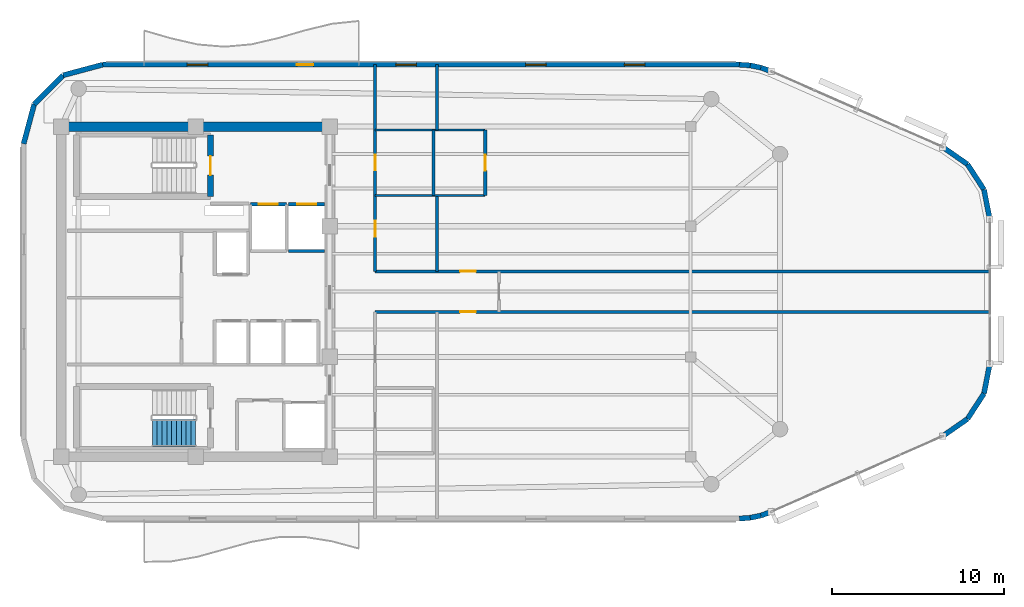
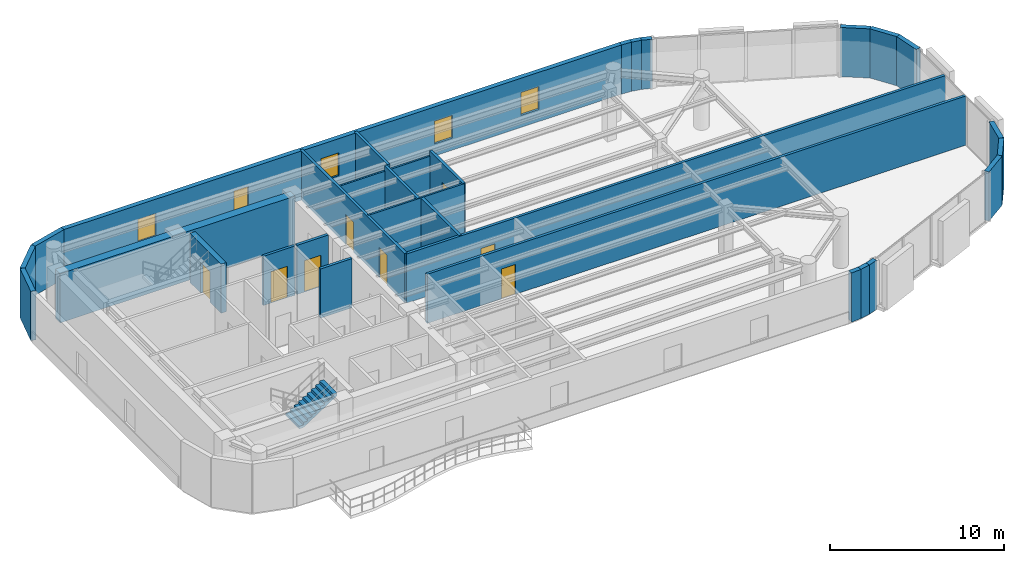
# One storey, part 9 of 12: 30 walls, 9 doors, 4 windows, 1 stair flight, 13 openings, 1 element without a shape of its own.
"""IFC4 building model written with IfcOpenShell, lengths in metres."""

from ifc_helpers import new_model, si_unit, direction, frame, frame_2d, origin, place, context, subcontext, project, spatial, polyline, rectangle, outline, extrude, material, layer, layer_set, type_object, element, fill, aggregate, save


model = new_model("IFC4")

# Units and contexts
model_context = context("Model", 3, precision=1e-05, world=origin(), true_north=direction((0.0, 1.0)))
body_context = subcontext(model_context, "Body", "Model", "MODEL_VIEW")
ifc_project = project(units=[si_unit("LENGTHUNIT", "METRE"), si_unit("AREAUNIT", "SQUARE_METRE"), si_unit("VOLUMEUNIT", "CUBIC_METRE"), si_unit("PLANEANGLEUNIT", "RADIAN"), si_unit("MASSUNIT", "GRAM", prefix="KILO")], contexts=[model_context])

# Site, building, storey
site_placement = place(None, origin())
site = spatial("IfcSite", under=ifc_project, at=site_placement, CompositionType="ELEMENT")
building_placement = place(site_placement, origin())
building = spatial("IfcBuilding", under=site, at=building_placement, Name="An Khanh Terracotta Commons", CompositionType="ELEMENT")
storey_placement = place(building_placement, frame((0.0, 0.0, 273.39990234375)))
storey = spatial("IfcBuildingStorey", under=building, at=storey_placement, Name="L71", CompositionType="ELEMENT", Elevation=273.39990234375)

# Wall
ifc_material_1 = material(Name="Concrete C50/60", Category="concrete")
ifc_layer_1 = layer(ifc_material_1, 0.550048828125, Name="Concrete C50/60")
ifc_layer_set_1 = layer_set([ifc_layer_1], Name="Concrete C50/60")
wall_type_1 = type_object("IfcWallType", Name="WALL-CORE-550", PredefinedType="SHEAR", material=ifc_layer_set_1)
wall_1_placement = place(storey_placement, frame((21.60009765625, 33.60009765625, 0.0), z_axis=(0.0, 0.0, 1.0), x_axis=(1.0, 0.0, 0.0)))
element("IfcWall", 1, at=wall_1_placement, inside=storey, type_object=wall_type_1, Name="L71 Core Wall CWALL-L71-N", PredefinedType="SHEAR", context=body_context, shape_type="SweptSolid", body=[
    extrude(rectangle(XDim=15.599853515625, YDim=0.550048828125, at=frame_2d((7.7998046875, 0.0))), origin(), (0.0, 0.0, 1.0), 3.4501953125),
])

# Wall, opening, door
ifc_material_2 = material(Name="Fire-Rated Gypsum Board on Steel Stud", Category="steel")
ifc_layer_2 = layer(ifc_material_2, 0.179931640625, Name="Fire-Rated Gypsum Board on Steel Stud")
ifc_layer_set_2 = layer_set([ifc_layer_2], Name="Fire-Rated Gypsum Board on Steel Stud")
wall_type_2 = type_object("IfcWallType", Name="WALL-CORR-180", PredefinedType="PARTITIONING", material=ifc_layer_set_2)
wall_2_placement = place(storey_placement, frame((32.60009765625, 29.080078125, 0.0), z_axis=(0.0, 0.0, 1.0), x_axis=(1.0, 0.0, 0.0)))
wall_2 = element("IfcWall", 2, at=wall_2_placement, inside=storey, type_object=wall_type_2, Name="L71 Core Wall LSH-L71-FFL-01-N", PredefinedType="PARTITIONING", context=body_context, shape_type="SweptSolid", body=[
    extrude(rectangle(XDim=2.079833984375, YDim=0.179931640625, at=frame_2d((1.0400390625, 0.0))), origin(), (0.0, 0.0, 1.0), 3.4501953125),
])
opening_1_placement = place(wall_2_placement, frame((0.489990234375, 0.0, 0.0)))
opening_1 = element("IfcOpeningElement", 3, at=opening_1_placement, cuts=wall_2, Name="Opening LD-FFL-01-L71", PredefinedType="OPENING", context=body_context, shape_type="SweptSolid", body=[
    extrude(rectangle(XDim=1.10009765625, YDim=2.199951171875, at=frame_2d((0.550048828125, 1.10009765625))), frame((0.0, 0.099853515625, 0.0), z_axis=(0.0, -1.0, 0.0), x_axis=(1.0, 0.0, 0.0)), (0.0, 0.0, 1.0), 0.199951171875),
])
ifc_material_3 = material(Name="Brushed Stainless Steel Fire Landing Door", Category="steel")
door_type_1 = type_object("IfcDoorType", Name="DOOR-LD-FFL-1100", OperationType="NOTDEFINED", PredefinedType="DOOR", material=ifc_material_3)
door_1_placement = place(opening_1_placement, origin())
door_1 = element("IfcDoor", 4, at=door_1_placement, inside=storey, type_object=door_type_1, Name="L71 Lift FFL-01 Sliding Landing Door", OperationType="DOUBLE_DOOR_SLIDING", OverallHeight=2.199951171875, OverallWidth=1.10009765625, PredefinedType="DOOR", context=body_context, shape_type="SweptSolid", body=[
    extrude(rectangle(XDim=1.10009765625, YDim=2.199951171875, at=frame_2d((0.550048828125, 1.10009765625))), frame((0.0, 0.02490234375, 0.0), z_axis=(0.0, -1.0, 0.0), x_axis=(1.0, 0.0, 0.0)), (0.0, 0.0, 1.0), 0.050048828125),
])
fill(opening_1, door_1)

wall_3_placement = place(storey_placement, frame((34.820068359375, 29.080078125, 0.0), z_axis=(0.0, 0.0, 1.0), x_axis=(1.0, 0.0, 0.0)))
wall_3 = element("IfcWall", 5, at=wall_3_placement, inside=storey, type_object=wall_type_2, Name="L71 Core Wall LSH-L71-FFL-02-N", PredefinedType="PARTITIONING", context=body_context, shape_type="SweptSolid", body=[
    extrude(rectangle(XDim=2.079833984375, YDim=0.179931640625, at=frame_2d((1.0400390625, 0.0))), origin(), (0.0, 0.0, 1.0), 3.4501953125),
])
opening_2_placement = place(wall_3_placement, frame((0.489990234375, 0.0, 0.0)))
opening_2 = element("IfcOpeningElement", 6, at=opening_2_placement, cuts=wall_3, Name="Opening LD-FFL-02-L71", PredefinedType="OPENING", context=body_context, shape_type="SweptSolid", body=[
    extrude(rectangle(XDim=1.10009765625, YDim=2.199951171875, at=frame_2d((0.550048828125, 1.10009765625))), frame((0.0, 0.099853515625, 0.0), z_axis=(0.0, -1.0, 0.0), x_axis=(1.0, 0.0, 0.0)), (0.0, 0.0, 1.0), 0.199951171875),
])
door_2_placement = place(opening_2_placement, origin())
door_2 = element("IfcDoor", 7, at=door_2_placement, inside=storey, type_object=door_type_1, Name="L71 Lift FFL-02 Sliding Landing Door", OperationType="DOUBLE_DOOR_SLIDING", OverallHeight=2.199951171875, OverallWidth=1.10009765625, PredefinedType="DOOR", context=body_context, shape_type="SweptSolid", body=[
    extrude(rectangle(XDim=1.10009765625, YDim=2.199951171875, at=frame_2d((0.550048828125, 1.10009765625))), frame((0.0, 0.02490234375, 0.0), z_axis=(0.0, -1.0, 0.0), x_axis=(1.0, 0.0, 0.0)), (0.0, 0.0, 1.0), 0.050048828125),
])
fill(opening_2, door_2)

# Wall
wall_4_placement = place(storey_placement, frame((36.89990234375, 26.35009765625, 0.0), z_axis=(0.0, 0.0, 1.0), x_axis=(-1.0, 0.0, 0.0)))
element("IfcWall", 8, at=wall_4_placement, inside=storey, type_object=wall_type_2, Name="L71 Core Wall LSH-L71-FFL-02-S", PredefinedType="PARTITIONING", context=body_context, shape_type="SweptSolid", body=[
    extrude(rectangle(XDim=2.079833984375, YDim=0.179931640625, at=frame_2d((1.0400390625, 0.0))), origin(), (0.0, 0.0, 1.0), 3.4501953125),
])

# Wall, opening, door
wall_5_placement = place(storey_placement, frame((39.85009765625, 22.820068359375, 0.0), z_axis=(0.0, 0.0, 1.0), x_axis=(1.0, 0.0, 0.0)))
wall_5 = element("IfcWall", 9, at=wall_5_placement, inside=storey, type_object=wall_type_2, Name="L71 Interior Partition IW-L71-E003", PredefinedType="PARTITIONING", context=body_context, shape_type="SweptSolid", body=[
    extrude(rectangle(XDim=35.75, YDim=0.179931640625, at=frame_2d((17.875, 0.0))), origin(), (0.0, 0.0, 1.0), 3.4501953125),
])
opening_3_placement = place(wall_5_placement, frame((4.93994140625, 0.0, 0.0)))
opening_3 = element("IfcOpeningElement", 10, at=opening_3_placement, cuts=wall_5, Name="Opening D-RM", PredefinedType="OPENING", context=body_context, shape_type="SweptSolid", body=[
    extrude(rectangle(XDim=0.919921875, YDim=2.10009765625, at=frame_2d((0.4599609375, 1.050048828125))), frame((0.0, 0.099853515625, 0.0), z_axis=(0.0, -1.0, 0.0), x_axis=(1.0, 0.0, 0.0)), (0.0, 0.0, 1.0), 0.199951171875),
])
ifc_material_4 = material(Name="Engineered Hardwood Timber Leaf", Category="wood")
door_type_2 = type_object("IfcDoorType", Name="DOOR-INT-920", OperationType="NOTDEFINED", PredefinedType="DOOR", material=ifc_material_4)
door_3_placement = place(opening_3_placement, origin())
door_3 = element("IfcDoor", 11, at=door_3_placement, inside=storey, type_object=door_type_2, Name="L71 T5SE Yoga Wellness Room Door", OperationType="SINGLE_SWING_LEFT", OverallHeight=2.10009765625, OverallWidth=0.919921875, PredefinedType="DOOR", context=body_context, shape_type="SweptSolid", body=[
    extrude(rectangle(XDim=0.919921875, YDim=2.10009765625, at=frame_2d((0.4599609375, 1.050048828125))), frame((0.0, 0.02490234375, 0.0), z_axis=(0.0, -1.0, 0.0), x_axis=(1.0, 0.0, 0.0)), (0.0, 0.0, 1.0), 0.050048828125),
])
fill(opening_3, door_3)

wall_6_placement = place(storey_placement, frame((39.85009765625, 25.179931640625, 0.0), z_axis=(0.0, 0.0, 1.0), x_axis=(1.0, 0.0, 0.0)))
wall_6 = element("IfcWall", 12, at=wall_6_placement, inside=storey, type_object=wall_type_2, Name="L71 Interior Partition IW-L71-E004", PredefinedType="PARTITIONING", context=body_context, shape_type="SweptSolid", body=[
    extrude(rectangle(XDim=35.75, YDim=0.179931640625, at=frame_2d((17.875, 0.0))), origin(), (0.0, 0.0, 1.0), 3.4501953125),
])
opening_4_placement = place(wall_6_placement, frame((4.93994140625, 0.0, 0.0)))
opening_4 = element("IfcOpeningElement", 13, at=opening_4_placement, cuts=wall_6, Name="Opening D-RM", PredefinedType="OPENING", context=body_context, shape_type="SweptSolid", body=[
    extrude(rectangle(XDim=0.919921875, YDim=2.10009765625, at=frame_2d((0.4599609375, 1.050048828125))), frame((0.0, 0.099853515625, 0.0), z_axis=(0.0, -1.0, 0.0), x_axis=(1.0, 0.0, 0.0)), (0.0, 0.0, 1.0), 0.199951171875),
])
door_4_placement = place(opening_4_placement, origin())
door_4 = element("IfcDoor", 14, at=door_4_placement, inside=storey, type_object=door_type_2, Name="L71 T5NE Collaborative Study Lounge Door", OperationType="SINGLE_SWING_LEFT", OverallHeight=2.10009765625, OverallWidth=0.919921875, PredefinedType="DOOR", context=body_context, shape_type="SweptSolid", body=[
    extrude(rectangle(XDim=0.919921875, YDim=2.10009765625, at=frame_2d((0.4599609375, 1.050048828125))), frame((0.0, 0.02490234375, 0.0), z_axis=(0.0, -1.0, 0.0), x_axis=(1.0, 0.0, 0.0)), (0.0, 0.0, 1.0), 0.050048828125),
])
fill(opening_4, door_4)

# Wall, openings, doors
wall_7_placement = place(storey_placement, frame((39.85009765625, 25.179931640625, 0.0), z_axis=(0.0, 0.0, 1.0), x_axis=(0.0, 1.0, 0.0)))
wall_7 = element("IfcWall", 15, at=wall_7_placement, inside=storey, type_object=wall_type_2, Name="L71 Interior Partition IW-L71-E008", PredefinedType="PARTITIONING", context=body_context, shape_type="SweptSolid", body=[
    extrude(rectangle(XDim=12.02001953125, YDim=0.179931640625, at=frame_2d((6.010009765625, 0.0))), origin(), (0.0, 0.0, 1.0), 3.4501953125),
])
opening_5_placement = place(wall_7_placement, frame((5.8701171875, 0.0, 0.0)))
opening_5 = element("IfcOpeningElement", 16, at=opening_5_placement, cuts=wall_7, Name="Opening D-WC", PredefinedType="OPENING", context=body_context, shape_type="SweptSolid", body=[
    extrude(rectangle(XDim=0.89990234375, YDim=2.10009765625, at=frame_2d((0.449951171875, 1.050048828125))), frame((0.0, 0.099853515625, 0.0), z_axis=(0.0, -1.0, 0.0), x_axis=(1.0, 0.0, 0.0)), (0.0, 0.0, 1.0), 0.199951171875),
])
opening_6_placement = place(wall_7_placement, frame((2.010009765625, 0.0, 0.0)))
opening_6 = element("IfcOpeningElement", 17, at=opening_6_placement, cuts=wall_7, Name="Opening D-RM", PredefinedType="OPENING", context=body_context, shape_type="SweptSolid", body=[
    extrude(rectangle(XDim=0.919921875, YDim=2.10009765625, at=frame_2d((0.4599609375, 1.050048828125))), frame((0.0, 0.099853515625, 0.0), z_axis=(0.0, -1.0, 0.0), x_axis=(1.0, 0.0, 0.0)), (0.0, 0.0, 1.0), 0.199951171875),
])
door_5_placement = place(opening_6_placement, origin())
door_5 = element("IfcDoor", 18, at=door_5_placement, inside=storey, type_object=door_type_2, Name="L71 T5NW Quiet Study Office Door", OperationType="SINGLE_SWING_LEFT", OverallHeight=2.10009765625, OverallWidth=0.919921875, PredefinedType="DOOR", context=body_context, shape_type="SweptSolid", body=[
    extrude(rectangle(XDim=0.919921875, YDim=2.10009765625, at=frame_2d((0.4599609375, 1.050048828125))), frame((0.0, 0.02490234375, 0.0), z_axis=(0.0, -1.0, 0.0), x_axis=(1.0, 0.0, 0.0)), (0.0, 0.0, 1.0), 0.050048828125),
])
fill(opening_6, door_5)
ifc_material_5 = material(Name="Laminate Moisture-Resistant Timber Leaf", Category="wood")
door_type_3 = type_object("IfcDoorType", Name="DOOR-WC-900", OperationType="NOTDEFINED", PredefinedType="DOOR", material=ifc_material_5)
door_6_placement = place(opening_5_placement, origin())
door_6 = element("IfcDoor", 19, at=door_6_placement, inside=storey, type_object=door_type_3, Name="L71 AWC Accessible WC Door", OperationType="SINGLE_SWING_LEFT", OverallHeight=2.10009765625, OverallWidth=0.89990234375, PredefinedType="DOOR", context=body_context, shape_type="SweptSolid", body=[
    extrude(rectangle(XDim=0.89990234375, YDim=2.10009765625, at=frame_2d((0.449951171875, 1.050048828125))), frame((0.0, 0.02490234375, 0.0), z_axis=(0.0, -1.0, 0.0), x_axis=(1.0, 0.0, 0.0)), (0.0, 0.0, 1.0), 0.050048828125),
])
fill(opening_5, door_6)

# Walls
wall_8_placement = place(storey_placement, frame((43.25, 29.60009765625, 0.0), z_axis=(0.0, 0.0, 1.0), x_axis=(0.0, 1.0, 0.0)))
element("IfcWall", 20, at=wall_8_placement, inside=storey, type_object=wall_type_2, Name="L71 Interior Partition IW-L71-E010", PredefinedType="PARTITIONING", context=body_context, shape_type="SweptSolid", body=[
    extrude(rectangle(XDim=3.7998046875, YDim=0.179931640625, at=frame_2d((1.89990234375, 0.0))), origin(), (0.0, 0.0, 1.0), 3.4501953125),
])
wall_9_placement = place(storey_placement, frame((43.449951171875, 25.179931640625, 0.0), z_axis=(0.0, 0.0, 1.0), x_axis=(0.0, 1.0, 0.0)))
element("IfcWall", 21, at=wall_9_placement, inside=storey, type_object=wall_type_2, Name="L71 Interior Partition IW-L71-E012", PredefinedType="PARTITIONING", context=body_context, shape_type="SweptSolid", body=[
    extrude(rectangle(XDim=4.420166015625, YDim=0.179931640625, at=frame_2d((2.2099609375, 0.0))), origin(), (0.0, 0.0, 1.0), 3.4501953125),
])
wall_10_placement = place(storey_placement, frame((43.449951171875, 33.39990234375, 0.0), z_axis=(0.0, 0.0, 1.0), x_axis=(0.0, 1.0, 0.0)))
element("IfcWall", 22, at=wall_10_placement, inside=storey, type_object=wall_type_2, Name="L71 Interior Partition IW-L71-E013", PredefinedType="PARTITIONING", context=body_context, shape_type="SweptSolid", body=[
    extrude(rectangle(XDim=3.800048828125, YDim=0.179931640625, at=frame_2d((1.89990234375, 0.0))), origin(), (0.0, 0.0, 1.0), 3.4501953125),
])

# Wall, opening, door
wall_11_placement = place(storey_placement, frame((46.25, 29.60009765625, 0.0), z_axis=(0.0, 0.0, 1.0), x_axis=(0.0, 1.0, 0.0)))
wall_11 = element("IfcWall", 23, at=wall_11_placement, inside=storey, type_object=wall_type_2, Name="L71 Interior Partition IW-L71-E014", PredefinedType="PARTITIONING", context=body_context, shape_type="SweptSolid", body=[
    extrude(rectangle(XDim=3.7998046875, YDim=0.179931640625, at=frame_2d((1.89990234375, 0.0))), origin(), (0.0, 0.0, 1.0), 3.4501953125),
])
opening_7_placement = place(wall_11_placement, frame((1.43994140625, 0.0, 0.0)))
opening_7 = element("IfcOpeningElement", 24, at=opening_7_placement, cuts=wall_11, Name="Opening D-RM", PredefinedType="OPENING", context=body_context, shape_type="SweptSolid", body=[
    extrude(rectangle(XDim=0.919921875, YDim=2.10009765625, at=frame_2d((0.4599609375, 1.050048828125))), frame((0.0, 0.099853515625, 0.0), z_axis=(0.0, -1.0, 0.0), x_axis=(1.0, 0.0, 0.0)), (0.0, 0.0, 1.0), 0.199951171875),
])
door_7_placement = place(opening_7_placement, origin())
door_7 = element("IfcDoor", 25, at=door_7_placement, inside=storey, type_object=door_type_2, Name="L71 HKP Housekeeping Linen Store Door", OperationType="SINGLE_SWING_RIGHT", OverallHeight=2.10009765625, OverallWidth=0.919921875, PredefinedType="DOOR", context=body_context, shape_type="SweptSolid", body=[
    extrude(rectangle(XDim=0.919921875, YDim=2.10009765625, at=frame_2d((0.4599609375, 1.050048828125))), frame((0.0, 0.02490234375, 0.0), z_axis=(0.0, -1.0, 0.0), x_axis=(1.0, 0.0, 0.0)), (0.0, 0.0, 1.0), 0.050048828125),
])
fill(opening_7, door_7)

# Walls
ifc_material_6 = material(Name="Precast concrete C40/50", Category="concrete")
ifc_layer_3 = layer(ifc_material_6, 0.300048828125, Name="Precast concrete C40/50")
ifc_layer_set_3 = layer_set([ifc_layer_3], Name="Precast concrete C40/50")
wall_type_3 = type_object("IfcWallType", Name="WALL-EXT-300", PredefinedType="SOLIDWALL", material=ifc_layer_set_3)
wall_12_placement = place(storey_placement, frame((61.030029296875, 10.800048828125, 0.0), z_axis=(0.0, 0.0, 1.0), x_axis=(0.997613959688, 0.069039028352, 0.0)))
element("IfcWall", 26, at=wall_12_placement, inside=storey, type_object=wall_type_3, Name="L71 Insulated Terracotta Exterior Wall 5", PredefinedType="SOLIDWALL", context=body_context, shape_type="SweptSolid", body=[
    extrude(rectangle(XDim=0.636474609375, YDim=0.300048828125, at=frame_2d((0.318359375, 0.0))), origin(), (0.0, 0.0, 1.0), 3.4501953125),
])
wall_13_placement = place(storey_placement, frame((61.6650390625, 10.843994140625, 0.0), z_axis=(0.0, 0.0, 1.0), x_axis=(0.97857012251, 0.205913854149, 0.0)))
element("IfcWall", 27, at=wall_13_placement, inside=storey, type_object=wall_type_3, Name="L71 Insulated Terracotta Exterior Wall 6", PredefinedType="SOLIDWALL", context=body_context, shape_type="SweptSolid", body=[
    extrude(rectangle(XDim=0.63671875, YDim=0.300048828125, at=frame_2d((0.318359375, 0.0))), origin(), (0.0, 0.0, 1.0), 3.4501953125),
])
wall_14_placement = place(storey_placement, frame((62.2880859375, 10.97509765625, 0.0), z_axis=(0.0, 0.0, 1.0), x_axis=(0.94077491148, 0.339031806665, 0.0)))
element("IfcWall", 28, at=wall_14_placement, inside=storey, type_object=wall_type_3, Name="L71 Insulated Terracotta Exterior Wall 7", PredefinedType="SOLIDWALL", context=body_context, shape_type="SweptSolid", body=[
    extrude(rectangle(XDim=0.636474609375, YDim=0.300048828125, at=frame_2d((0.318359375, 0.0))), origin(), (0.0, 0.0, 1.0), 3.4501953125),
])
wall_15_placement = place(storey_placement, frame((72.85693359375, 15.590087890625, 0.0), z_axis=(0.0, 0.0, 1.0), x_axis=(0.821006966142, 0.570918174124, 0.0)))
element("IfcWall", 29, at=wall_15_placement, inside=storey, type_object=wall_type_3, Name="L71 Insulated Terracotta Exterior Wall 9", PredefinedType="SOLIDWALL", context=body_context, shape_type="SweptSolid", body=[
    extrude(rectangle(XDim=1.760009765625, YDim=0.300048828125, at=frame_2d((0.8798828125, 0.0))), origin(), (0.0, 0.0, 1.0), 3.4501953125),
])
for number, where, z_axis, x_axis, name in (
    (30, (74.302001953125, 16.594970703125, 0.0), (0.0, 0.0, 1.0), (0.545836224831, 0.837891887813, 0.0), "L71 Insulated Terracotta Exterior Wall 10"),
    (31, (75.262939453125, 18.070068359375, 0.0), (0.0, 0.0, 1.0), (0.1915005851, 0.981492499159, 0.0), "L71 Insulated Terracotta Exterior Wall 11"),
    (32, (75.60009765625, 28.201904296875, 0.0), (0.0, 0.0, 1.0), (-0.1915005851, 0.981492499159, 0.0), "L71 Insulated Terracotta Exterior Wall 13"),
    (33, (75.262939453125, 29.929931640625, 0.0), (0.0, 0.0, 1.0), (-0.545836224831, 0.837891887813, 0.0), "L71 Insulated Terracotta Exterior Wall 14"),
):
    element("IfcWall", number, at=place(storey_placement, frame(where, z_axis=z_axis, x_axis=x_axis)), inside=storey, type_object=wall_type_3, Name=name, PredefinedType="SOLIDWALL", context=body_context, shape_type="SweptSolid", body=[
        extrude(rectangle(XDim=1.760498046875, YDim=0.300048828125, at=frame_2d((0.88037109375, 0.0))), origin(), (0.0, 0.0, 1.0), 3.4501953125),
    ])
wall_16_placement = place(storey_placement, frame((74.302001953125, 31.405029296875, 0.0), z_axis=(0.0, 0.0, 1.0), x_axis=(-0.821006966142, 0.570918174124, 0.0)))
element("IfcWall", 34, at=wall_16_placement, inside=storey, type_object=wall_type_3, Name="L71 Insulated Terracotta Exterior Wall 15", PredefinedType="SOLIDWALL", context=body_context, shape_type="SweptSolid", body=[
    extrude(rectangle(XDim=1.760009765625, YDim=0.300048828125, at=frame_2d((0.8798828125, 0.0))), origin(), (0.0, 0.0, 1.0), 3.4501953125),
])
wall_17_placement = place(storey_placement, frame((62.886962890625, 36.80908203125, 0.0), z_axis=(0.0, 0.0, 1.0), x_axis=(-0.94077491148, 0.339031806665, 0.0)))
element("IfcWall", 35, at=wall_17_placement, inside=storey, type_object=wall_type_3, Name="L71 Insulated Terracotta Exterior Wall 17", PredefinedType="SOLIDWALL", context=body_context, shape_type="SweptSolid", body=[
    extrude(rectangle(XDim=0.636474609375, YDim=0.300048828125, at=frame_2d((0.318359375, 0.0))), origin(), (0.0, 0.0, 1.0), 3.4501953125),
])
wall_18_placement = place(storey_placement, frame((62.2880859375, 37.02490234375, 0.0), z_axis=(0.0, 0.0, 1.0), x_axis=(-0.97857012251, 0.205913854149, 0.0)))
element("IfcWall", 36, at=wall_18_placement, inside=storey, type_object=wall_type_3, Name="L71 Insulated Terracotta Exterior Wall 18", PredefinedType="SOLIDWALL", context=body_context, shape_type="SweptSolid", body=[
    extrude(rectangle(XDim=0.63671875, YDim=0.300048828125, at=frame_2d((0.318359375, 0.0))), origin(), (0.0, 0.0, 1.0), 3.4501953125),
])
wall_19_placement = place(storey_placement, frame((61.6650390625, 37.156005859375, 0.0), z_axis=(0.0, 0.0, 1.0), x_axis=(-0.997613959688, 0.069039028352, 0.0)))
element("IfcWall", 37, at=wall_19_placement, inside=storey, type_object=wall_type_3, Name="L71 Insulated Terracotta Exterior Wall 19", PredefinedType="SOLIDWALL", context=body_context, shape_type="SweptSolid", body=[
    extrude(rectangle(XDim=0.636474609375, YDim=0.300048828125, at=frame_2d((0.318359375, 0.0))), origin(), (0.0, 0.0, 1.0), 3.4501953125),
])

# Wall, openings, door, windows
wall_20_placement = place(storey_placement, frame((61.030029296875, 37.199951171875, 0.0), z_axis=(0.0, 0.0, 1.0), x_axis=(-1.0, 0.0, 0.0)))
wall_20 = element("IfcWall", 38, at=wall_20_placement, inside=storey, type_object=wall_type_3, Name="L71 Insulated Terracotta Exterior Wall 20", PredefinedType="SOLIDWALL", context=body_context, shape_type="SweptSolid", body=[
    extrude(rectangle(XDim=37.030029296875, YDim=0.300048828125, at=frame_2d((18.51513671875, 0.0))), origin(), (0.0, 0.0, 1.0), 3.4501953125),
])
opening_8_placement = place(wall_20_placement, frame((24.780029296875, 0.0, 0.0)))
opening_8 = element("IfcOpeningElement", 39, at=opening_8_placement, cuts=wall_20, Name="Opening D-BAL", PredefinedType="OPENING", context=body_context, shape_type="SweptSolid", body=[
    extrude(rectangle(XDim=0.949951171875, YDim=2.199951171875, at=frame_2d((0.47509765625, 1.10009765625))), frame((0.0, 0.159912109375, 0.0), z_axis=(0.0, -1.0, 0.0), x_axis=(1.0, 0.0, 0.0)), (0.0, 0.0, 1.0), 0.320068359375),
])
opening_9_placement = place(wall_20_placement, frame((5.492919921875, 0.0, 0.85009765625)))
opening_9 = element("IfcOpeningElement", 40, at=opening_9_placement, cuts=wall_20, Name="Opening W-05", PredefinedType="OPENING", context=body_context, shape_type="SweptSolid", body=[
    extrude(rectangle(XDim=1.199951171875, YDim=1.60009765625, at=frame_2d((0.60009765625, 0.800048828125))), frame((0.0, 0.159912109375, 0.0), z_axis=(0.0, -1.0, 0.0), x_axis=(1.0, 0.0, 0.0)), (0.0, 0.0, 1.0), 0.320068359375),
])
opening_10_placement = place(wall_20_placement, frame((11.237060546875, 0.0, 0.85009765625)))
opening_10 = element("IfcOpeningElement", 41, at=opening_10_placement, cuts=wall_20, Name="Opening W-05", PredefinedType="OPENING", context=body_context, shape_type="SweptSolid", body=[
    extrude(rectangle(XDim=1.199951171875, YDim=1.60009765625, at=frame_2d((0.60009765625, 0.800048828125))), frame((0.0, 0.159912109375, 0.0), z_axis=(0.0, -1.0, 0.0), x_axis=(1.0, 0.0, 0.0)), (0.0, 0.0, 1.0), 0.320068359375),
])
opening_11_placement = place(wall_20_placement, frame((18.780029296875, 0.0, 0.85009765625)))
opening_11 = element("IfcOpeningElement", 42, at=opening_11_placement, cuts=wall_20, Name="Opening W-05", PredefinedType="OPENING", context=body_context, shape_type="SweptSolid", body=[
    extrude(rectangle(XDim=1.199951171875, YDim=1.60009765625, at=frame_2d((0.60009765625, 0.800048828125))), frame((0.0, 0.159912109375, 0.0), z_axis=(0.0, -1.0, 0.0), x_axis=(1.0, 0.0, 0.0)), (0.0, 0.0, 1.0), 0.320068359375),
])
opening_12_placement = place(wall_20_placement, frame((30.9130859375, 0.0, 0.85009765625)))
opening_12 = element("IfcOpeningElement", 43, at=opening_12_placement, cuts=wall_20, Name="Opening W-05", PredefinedType="OPENING", context=body_context, shape_type="SweptSolid", body=[
    extrude(rectangle(XDim=1.199951171875, YDim=1.60009765625, at=frame_2d((0.60009765625, 0.800048828125))), frame((0.0, 0.159912109375, 0.0), z_axis=(0.0, -1.0, 0.0), x_axis=(1.0, 0.0, 0.0)), (0.0, 0.0, 1.0), 0.320068359375),
])
ifc_material_7 = material(Name="Thermally Broken Aluminium and Low-E Glass", Category="aluminium")
door_type_4 = type_object("IfcDoorType", Name="DOOR-BALC-950", OperationType="NOTDEFINED", PredefinedType="DOOR", material=ifc_material_7)
door_8_placement = place(opening_8_placement, origin())
door_8 = element("IfcDoor", 44, at=door_8_placement, inside=storey, type_object=door_type_4, Name="L71 N Wave Balcony Glazed Door", OperationType="SINGLE_SWING_RIGHT", OverallHeight=2.199951171875, OverallWidth=0.949951171875, PredefinedType="DOOR", context=body_context, shape_type="SweptSolid", body=[
    extrude(rectangle(XDim=0.949951171875, YDim=2.199951171875, at=frame_2d((0.47509765625, 1.10009765625))), frame((0.0, 0.02490234375, 0.0), z_axis=(0.0, -1.0, 0.0), x_axis=(1.0, 0.0, 0.0)), (0.0, 0.0, 1.0), 0.050048828125),
])
fill(opening_8, door_8)
window_type = type_object("IfcWindowType", Name="WIN-Z5-1200x1600", PartitioningType="SINGLE_PANEL", PredefinedType="WINDOW", material=ifc_material_7)
window_1_placement = place(opening_9_placement, origin())
window_1 = element("IfcWindow", 45, at=window_1_placement, inside=storey, type_object=window_type, Name="L71 Operable Casement Window 20.1", OverallHeight=1.60009765625, OverallWidth=1.199951171875, PartitioningType="SINGLE_PANEL", PredefinedType="WINDOW", context=body_context, shape_type="SweptSolid", body=[
    extrude(rectangle(XDim=1.199951171875, YDim=1.60009765625, at=frame_2d((0.60009765625, 0.800048828125))), frame((0.0, 0.030029296875, 0.0), z_axis=(0.0, -1.0, 0.0), x_axis=(1.0, 0.0, 0.0)), (0.0, 0.0, 1.0), 0.06005859375),
])
fill(opening_9, window_1)
window_2_placement = place(opening_10_placement, origin())
window_2 = element("IfcWindow", 46, at=window_2_placement, inside=storey, type_object=window_type, Name="L71 Operable Casement Window 20.2", OverallHeight=1.60009765625, OverallWidth=1.199951171875, PartitioningType="SINGLE_PANEL", PredefinedType="WINDOW", context=body_context, shape_type="SweptSolid", body=[
    extrude(rectangle(XDim=1.199951171875, YDim=1.60009765625, at=frame_2d((0.60009765625, 0.800048828125))), frame((0.0, 0.030029296875, 0.0), z_axis=(0.0, -1.0, 0.0), x_axis=(1.0, 0.0, 0.0)), (0.0, 0.0, 1.0), 0.06005859375),
])
fill(opening_10, window_2)
window_3_placement = place(opening_11_placement, origin())
window_3 = element("IfcWindow", 47, at=window_3_placement, inside=storey, type_object=window_type, Name="L71 Operable Casement Window 20.3", OverallHeight=1.60009765625, OverallWidth=1.199951171875, PartitioningType="SINGLE_PANEL", PredefinedType="WINDOW", context=body_context, shape_type="SweptSolid", body=[
    extrude(rectangle(XDim=1.199951171875, YDim=1.60009765625, at=frame_2d((0.60009765625, 0.800048828125))), frame((0.0, 0.030029296875, 0.0), z_axis=(0.0, -1.0, 0.0), x_axis=(1.0, 0.0, 0.0)), (0.0, 0.0, 1.0), 0.06005859375),
])
fill(opening_11, window_3)
window_4_placement = place(opening_12_placement, origin())
window_4 = element("IfcWindow", 48, at=window_4_placement, inside=storey, type_object=window_type, Name="L71 Operable Casement Window 20.4", OverallHeight=1.60009765625, OverallWidth=1.199951171875, PartitioningType="SINGLE_PANEL", PredefinedType="WINDOW", context=body_context, shape_type="SweptSolid", body=[
    extrude(rectangle(XDim=1.199951171875, YDim=1.60009765625, at=frame_2d((0.60009765625, 0.800048828125))), frame((0.0, 0.030029296875, 0.0), z_axis=(0.0, -1.0, 0.0), x_axis=(1.0, 0.0, 0.0)), (0.0, 0.0, 1.0), 0.06005859375),
])
fill(opening_12, window_4)

# Walls
wall_21_placement = place(storey_placement, frame((24.0, 37.199951171875, 0.0), z_axis=(0.0, 0.0, 1.0), x_axis=(-0.965960405575, -0.25868995895, 0.0)))
element("IfcWall", 49, at=wall_21_placement, inside=storey, type_object=wall_type_3, Name="L71 Insulated Terracotta Exterior Wall 21", PredefinedType="SOLIDWALL", context=body_context, shape_type="SweptSolid", body=[
    extrude(rectangle(XDim=2.381103515625, YDim=0.300048828125, at=frame_2d((1.1904296875, 0.0))), origin(), (0.0, 0.0, 1.0), 3.4501953125),
])
wall_22_placement = place(storey_placement, frame((21.699951171875, 36.583984375, 0.0), z_axis=(0.0, 0.0, 1.0), x_axis=(-0.707055521135, -0.707158037522, 0.0)))
element("IfcWall", 50, at=wall_22_placement, inside=storey, type_object=wall_type_3, Name="L71 Insulated Terracotta Exterior Wall 22", PredefinedType="SOLIDWALL", context=body_context, shape_type="SweptSolid", body=[
    extrude(rectangle(XDim=2.381591796875, YDim=0.300048828125, at=frame_2d((1.19091796875, 0.0))), origin(), (0.0, 0.0, 1.0), 3.4501953125),
])
wall_23_placement = place(storey_placement, frame((20.01611328125, 34.89990234375, 0.0), z_axis=(0.0, 0.0, 1.0), x_axis=(-0.258811258154, -0.965927912762, 0.0)))
element("IfcWall", 51, at=wall_23_placement, inside=storey, type_object=wall_type_3, Name="L71 Insulated Terracotta Exterior Wall 23", PredefinedType="SOLIDWALL", context=body_context, shape_type="SweptSolid", body=[
    extrude(rectangle(XDim=2.380859375, YDim=0.300048828125, at=frame_2d((1.1904296875, 0.0))), origin(), (0.0, 0.0, 1.0), 3.4501953125),
])

# Wall, opening, door
ifc_layer_4 = layer(ifc_material_1, 0.35009765625, Name="Concrete C50/60")
ifc_layer_set_4 = layer_set([ifc_layer_4], Name="Concrete C50/60")
wall_type_4 = type_object("IfcWallType", Name="WALL-SHAFT-350", PredefinedType="SOLIDWALL", material=ifc_layer_set_4)
wall_24_placement = place(storey_placement, frame((30.27001953125, 29.530029296875, 0.0), z_axis=(0.0, 0.0, 1.0), x_axis=(0.0, 1.0, 0.0)))
wall_24 = element("IfcWall", 52, at=wall_24_placement, inside=storey, type_object=wall_type_4, Name="L71 Core Wall STW-L71-N-E", PredefinedType="SOLIDWALL", context=body_context, shape_type="SweptSolid", body=[
    extrude(rectangle(XDim=3.580078125, YDim=0.35009765625, at=frame_2d((1.7900390625, 0.0))), origin(), (0.0, 0.0, 1.0), 3.4501953125),
])
opening_13_placement = place(wall_24_placement, frame((1.25, 0.0, 0.0)))
opening_13 = element("IfcOpeningElement", 53, at=opening_13_placement, cuts=wall_24, Name="Opening D-ST", PredefinedType="OPENING", context=body_context, shape_type="SweptSolid", body=[
    extrude(rectangle(XDim=1.10009765625, YDim=2.14990234375, at=frame_2d((0.550048828125, 1.074951171875))), frame((0.0, 0.18505859375, 0.0), z_axis=(0.0, -1.0, 0.0), x_axis=(1.0, 0.0, 0.0)), (0.0, 0.0, 1.0), 0.3701171875),
])
ifc_material_8 = material(Name="Fire-Rated Steel Leaf and Frame", Category="steel")
door_type_5 = type_object("IfcDoorType", Name="DOOR-STAIR-1100", OperationType="NOTDEFINED", PredefinedType="DOOR", material=ifc_material_8)
door_9_placement = place(opening_13_placement, origin())
door_9 = element("IfcDoor", 54, at=door_9_placement, inside=storey, type_object=door_type_5, Name="L71 Stair ST-01 Fire Door", OperationType="SINGLE_SWING_RIGHT", OverallHeight=2.14990234375, OverallWidth=1.10009765625, PredefinedType="DOOR", context=body_context, shape_type="SweptSolid", body=[
    extrude(rectangle(XDim=1.10009765625, YDim=2.14990234375, at=frame_2d((0.550048828125, 1.074951171875))), frame((0.0, 0.02490234375, 0.0), z_axis=(0.0, -1.0, 0.0), x_axis=(1.0, 0.0, 0.0)), (0.0, 0.0, 1.0), 0.050048828125),
])
fill(opening_13, door_9)

# Walls
ifc_material_9 = material(Name="Moisture-Resistant Cement Board Partition")
ifc_layer_5 = layer(ifc_material_9, 0.1201171875, Name="Moisture-Resistant Cement Board Partition")
ifc_layer_set_5 = layer_set([ifc_layer_5], Name="Moisture-Resistant Cement Board Partition")
wall_type_5 = type_object("IfcWallType", Name="WALL-WET-120", PredefinedType="PARTITIONING", material=ifc_layer_set_5)
wall_25_placement = place(storey_placement, frame((39.85009765625, 29.60009765625, 0.0), z_axis=(0.0, 0.0, 1.0), x_axis=(1.0, 0.0, 0.0)))
element("IfcWall", 55, at=wall_25_placement, inside=storey, type_object=wall_type_5, Name="L71 Interior Partition IW-L71-E005", PredefinedType="PARTITIONING", context=body_context, shape_type="SweptSolid", body=[
    extrude(rectangle(XDim=6.39990234375, YDim=0.1201171875, at=frame_2d((3.199951171875, 0.0))), origin(), (0.0, 0.0, 1.0), 3.4501953125),
])
wall_26_placement = place(storey_placement, frame((39.85009765625, 33.39990234375, 0.0), z_axis=(0.0, 0.0, 1.0), x_axis=(1.0, 0.0, 0.0)))
element("IfcWall", 56, at=wall_26_placement, inside=storey, type_object=wall_type_5, Name="L71 Interior Partition IW-L71-E006", PredefinedType="PARTITIONING", context=body_context, shape_type="SweptSolid", body=[
    extrude(rectangle(XDim=6.39990234375, YDim=0.1201171875, at=frame_2d((3.199951171875, 0.0))), origin(), (0.0, 0.0, 1.0), 3.092041015625),
])

# Stair, stair flight
stair_type = type_object("IfcStairType", Name="STAIR-CORE-1550", PredefinedType="HALF_TURN_STAIR", material=ifc_material_6)
stair_placement = place(storey_placement, origin())
stair = element("IfcStair", 57, at=stair_placement, inside=storey, type_object=stair_type, Name="L71 Core Smokeproof Exit Stair ST-02", PredefinedType="HALF_TURN_STAIR")
stair_flight_type = type_object("IfcStairFlightType", Name="FLIGHT-CORE-1550", PredefinedType="STRAIGHT", material=ifc_material_6)
stair_flight_placement = place(storey_placement, frame((26.889892578125, 15.77490234375, 1.8251953125), z_axis=(0.0, 0.0, 1.0), x_axis=(1.0, 0.0, 0.0)))
stair_flight = element("IfcStairFlight", 58, at=stair_flight_placement, type_object=stair_flight_type, Name="ST-02 flight 2", NumberOfRisers=10, NumberOfTreads=9, PredefinedType="STRAIGHT", RiserHeight=0.1825, TreadLength=0.28, context=body_context, shape_type="SweptSolid", body=[
    extrude(outline(polyline([(0.0, 0.0), (0.0, 0.1826171875), (0.280029296875, 0.1826171875), (0.280029296875, 0.364990234375), (0.56005859375, 0.364990234375), (0.56005859375, 0.547607421875), (0.840087890625, 0.547607421875), (0.840087890625, 0.72998046875), (1.1201171875, 0.72998046875), (1.1201171875, 0.91259765625), (1.39990234375, 0.91259765625), (1.39990234375, 1.094970703125), (1.679931640625, 1.094970703125), (1.679931640625, 1.277587890625), (1.9599609375, 1.277587890625), (1.9599609375, 1.4599609375), (2.239990234375, 1.4599609375), (2.239990234375, 1.642578125), (2.52001953125, 1.642578125), (2.52001953125, 1.824951171875), (2.52001953125, 1.463623046875), (0.2744140625, 0.0), (0.0, 0.0)])), frame((0.0, 0.77490234375, 0.0), z_axis=(0.0, -1.0, 0.0), x_axis=(1.0, 0.0, 0.0)), (0.0, 0.0, 1.0), 1.550048828125),
])
aggregate(stair, [stair_flight])

save(model, "model.ifc")
